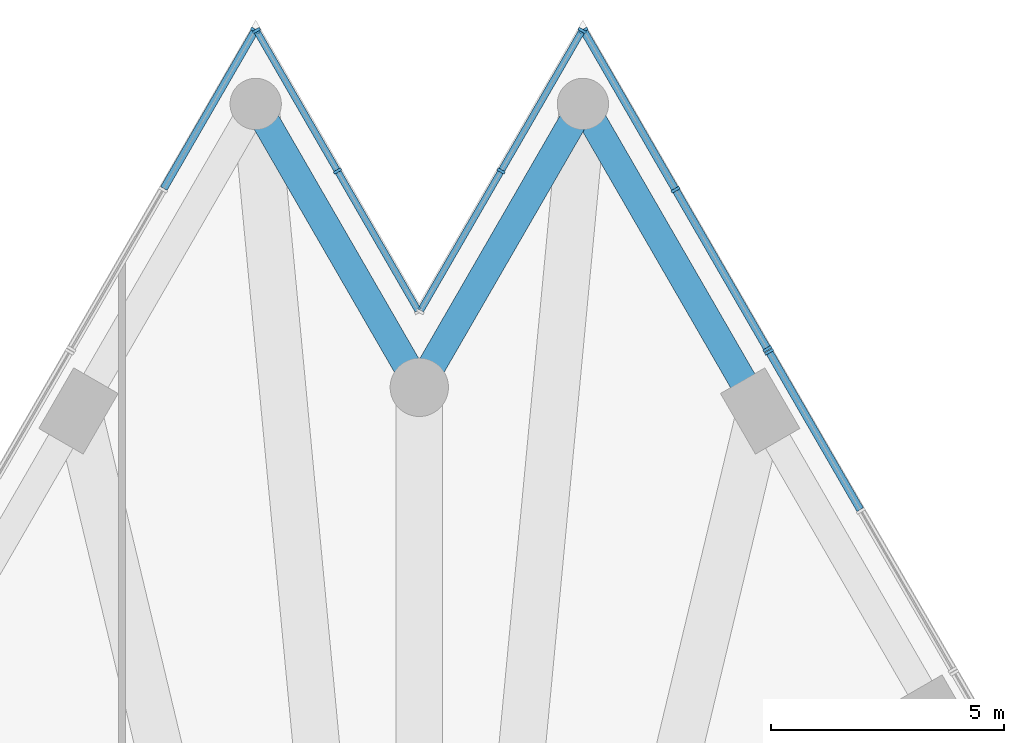
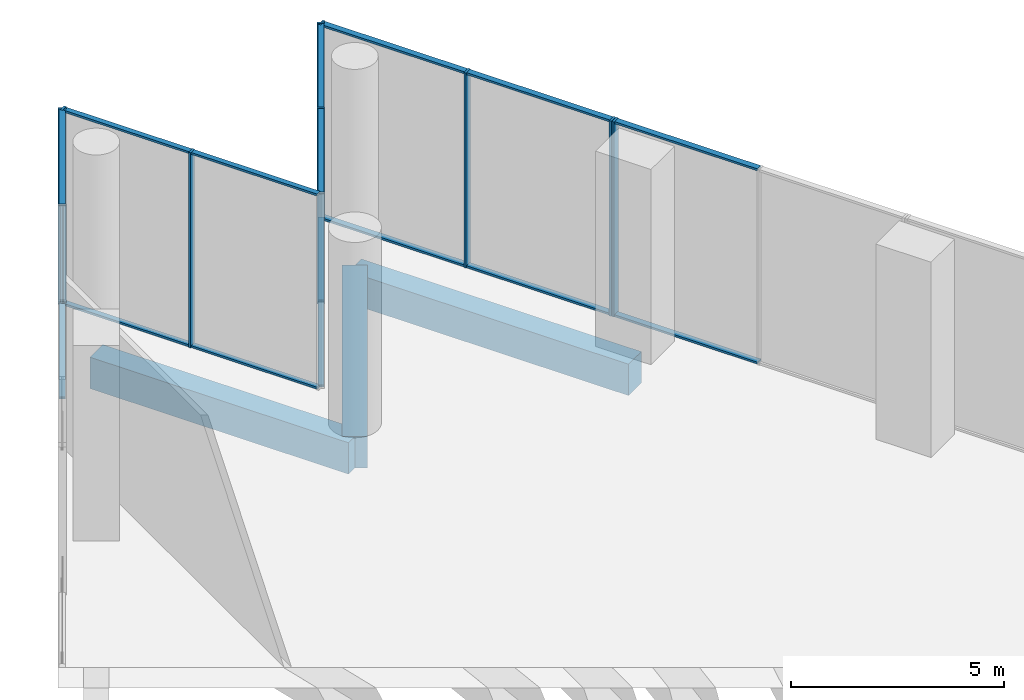
# One storey, part 18 of 36: 25 members, 3 beams, 5 elements without a shape of their own.
"""IFC4 building model written with IfcOpenShell, lengths in metres."""

from ifc_helpers import new_model, si_unit, direction, frame, origin, origin_2d, place, context, subcontext, project, spatial, rectangle, extrude, material, layer, layer_set, material_profile, profile_set, type_object, element, aggregate, save


model = new_model("IFC4")

# Units and contexts
model_context = context("Model", 3, precision=1e-05, world=origin(), true_north=direction((0.0, 1.0)))
body_context = subcontext(model_context, "Body", "Model", "MODEL_VIEW")
ifc_project = project(units=[si_unit("LENGTHUNIT", "METRE"), si_unit("AREAUNIT", "SQUARE_METRE"), si_unit("VOLUMEUNIT", "CUBIC_METRE"), si_unit("PLANEANGLEUNIT", "RADIAN"), si_unit("MASSUNIT", "GRAM", prefix="KILO")], contexts=[model_context])

# Site, building, storey
site_placement = place(None, origin())
site = spatial("IfcSite", under=ifc_project, at=site_placement, CompositionType="ELEMENT")
building_placement = place(site_placement, origin())
building = spatial("IfcBuilding", under=site, at=building_placement, Name="Triada Interchange Tower", CompositionType="ELEMENT")
storey_placement = place(building_placement, frame((0.0, 0.0, 8.5)))
storey = spatial("IfcBuildingStorey", under=building, at=storey_placement, Name="L01", CompositionType="ELEMENT", Elevation=8.5)

# Curtain wall, member
ifc_material_1 = material(Name="Aluminium framed glazing", Category="aluminium")
ifc_layer_1 = layer(ifc_material_1, 0.199951171875)
ifc_layer_set_1 = layer_set([ifc_layer_1], Name="Curtain wall Concourse glazed screen")
curtain_wall_type_1 = type_object("IfcCurtainWallType", Name="Curtain wall Concourse glazed screen", PredefinedType="NOTDEFINED", material=ifc_layer_set_1)
curtain_wall_1_placement = place(storey_placement, origin())
curtain_wall_1 = element("IfcCurtainWall", 1, at=curtain_wall_1_placement, inside=storey, type_object=curtain_wall_type_1, Name="Concourse glazed screen CW023 L01", PredefinedType="NOTDEFINED")
ifc_material_2 = material(Name="Aluminium", Category="aluminium")
ifc_material_profile_1 = material_profile(ifc_material_2, rectangle(XDim=0.199951171875, YDim=0.06005859375, at=origin_2d()), Name="Aluminium mullion")
ifc_profile_set_1 = profile_set([ifc_material_profile_1], Name="Aluminium")
member_type_1 = type_object("IfcMemberType", Name="Mullion Concourse glazed screen 200x60", PredefinedType="MULLION", material=ifc_profile_set_1)
member_1_placement = place(storey_placement, frame((7.498046875, 31.81298828125, 0.0), z_axis=(0.0, 0.0, 1.0), x_axis=(-0.866055473648, -0.499947913852, 0.0)))
member_1 = element("IfcMember", 2, at=member_1_placement, type_object=member_type_1, Name="CW023 mullion 3", PredefinedType="MULLION", context=body_context, shape_type="SweptSolid", body=[
    extrude(rectangle(XDim=0.199951171875, YDim=0.06005859375, at=origin_2d()), origin(), (0.0, 0.0, 1.0), 5.60009765625),
])

# Curtain wall, members
curtain_wall_2_placement = place(storey_placement, origin())
curtain_wall_2 = element("IfcCurtainWall", 3, at=curtain_wall_2_placement, inside=storey, type_object=curtain_wall_type_1, Name="Concourse glazed screen CW024 L01", PredefinedType="NOTDEFINED")
member_2_placement = place(storey_placement, frame((7.4619140625, 31.8740234375, 0.0), z_axis=(0.0, 0.0, 1.0), x_axis=(-0.86604927658, -0.499958648825, 0.0)))
member_2 = element("IfcMember", 4, at=member_2_placement, type_object=member_type_1, Name="CW024 mullion 1", PredefinedType="MULLION", context=body_context, shape_type="SweptSolid", body=[
    extrude(rectangle(XDim=0.199951171875, YDim=0.06005859375, at=origin_2d()), origin(), (0.0, 0.0, 1.0), 5.60009765625),
])
member_3_placement = place(storey_placement, frame((5.491943359375, 35.28662109375, 0.0), z_axis=(0.0, 0.0, 1.0), x_axis=(-0.86604927658, -0.499958648825, 0.0)))
member_3 = element("IfcMember", 5, at=member_3_placement, type_object=member_type_1, Name="CW024 mullion 2", PredefinedType="MULLION", context=body_context, shape_type="SweptSolid", body=[
    extrude(rectangle(XDim=0.199951171875, YDim=0.06005859375, at=origin_2d()), origin(), (0.0, 0.0, 1.0), 5.60009765625),
])
member_4_placement = place(storey_placement, frame((3.52197265625, 38.698974609375, 0.0), z_axis=(0.0, 0.0, 1.0), x_axis=(-0.86604927658, -0.499958648825, 0.0)))
member_4 = element("IfcMember", 6, at=member_4_placement, type_object=member_type_1, Name="CW024 mullion 3", PredefinedType="MULLION", context=body_context, shape_type="SweptSolid", body=[
    extrude(rectangle(XDim=0.199951171875, YDim=0.06005859375, at=origin_2d()), origin(), (0.0, 0.0, 1.0), 5.60009765625),
])

# Curtain wall, member
curtain_wall_3_placement = place(storey_placement, origin())
curtain_wall_3 = element("IfcCurtainWall", 7, at=curtain_wall_3_placement, inside=storey, type_object=curtain_wall_type_1, Name="Concourse glazed screen CW027 L01", PredefinedType="NOTDEFINED")
member_5_placement = place(storey_placement, frame((-3.52197265625, 38.698974609375, 0.0), z_axis=(0.0, 0.0, 1.0), x_axis=(0.86604927658, -0.499958648825, 0.0)))
member_5 = element("IfcMember", 8, at=member_5_placement, type_object=member_type_1, Name="CW027 mullion 1", PredefinedType="MULLION", context=body_context, shape_type="SweptSolid", body=[
    extrude(rectangle(XDim=0.199951171875, YDim=0.06005859375, at=origin_2d()), origin(), (0.0, 0.0, 1.0), 5.60009765625),
])

# Curtain wall, members
ifc_layer_2 = layer(ifc_material_1, 0.199951171875)
ifc_layer_set_2 = layer_set([ifc_layer_2], Name="Curtain wall Tower lobby glazing")
curtain_wall_type_2 = type_object("IfcCurtainWallType", Name="Curtain wall Tower lobby glazing", PredefinedType="NOTDEFINED", material=ifc_layer_set_2)
curtain_wall_4_placement = place(storey_placement, origin())
curtain_wall_4 = element("IfcCurtainWall", 9, at=curtain_wall_4_placement, inside=storey, type_object=curtain_wall_type_2, Name="Tower lobby glazing CW025 L01", PredefinedType="NOTDEFINED")
ifc_material_profile_2 = material_profile(ifc_material_2, rectangle(XDim=0.179931640625, YDim=0.06005859375, at=origin_2d()), Name="Aluminium mullion")
ifc_profile_set_2 = profile_set([ifc_material_profile_2], Name="Aluminium")
member_type_2 = type_object("IfcMemberType", Name="Mullion Tower lobby glazing 180x60", PredefinedType="MULLION", material=ifc_profile_set_2)
member_6_placement = place(storey_placement, frame((3.491943359375, 38.698974609375, 0.0), z_axis=(0.0, 0.0, 1.0), x_axis=(0.866050272896, -0.499956922962, 0.0)))
member_6 = element("IfcMember", 10, at=member_6_placement, type_object=member_type_2, Name="CW025 mullion 1", PredefinedType="MULLION", context=body_context, shape_type="SweptSolid", body=[
    extrude(rectangle(XDim=0.179931640625, YDim=0.06005859375, at=origin_2d()), origin(), (0.0, 0.0, 1.0), 5.60009765625),
])
member_7_placement = place(storey_placement, frame((1.75341796875, 35.6875, 0.0), z_axis=(0.0, 0.0, 1.0), x_axis=(0.866050272896, -0.499956922962, 0.0)))
member_7 = element("IfcMember", 11, at=member_7_placement, type_object=member_type_2, Name="CW025 mullion 2", PredefinedType="MULLION", context=body_context, shape_type="SweptSolid", body=[
    extrude(rectangle(XDim=0.179931640625, YDim=0.06005859375, at=origin_2d()), origin(), (0.0, 0.0, 1.0), 5.60009765625),
])

curtain_wall_5_placement = place(storey_placement, origin())
curtain_wall_5 = element("IfcCurtainWall", 12, at=curtain_wall_5_placement, inside=storey, type_object=curtain_wall_type_2, Name="Tower lobby glazing CW026 L01", PredefinedType="NOTDEFINED")
member_8_placement = place(storey_placement, frame((-1.75341796875, 35.6875, 0.0), z_axis=(0.0, 0.0, 1.0), x_axis=(-0.866050272896, -0.499956922962, 0.0)))
member_8 = element("IfcMember", 13, at=member_8_placement, type_object=member_type_2, Name="CW026 mullion 2", PredefinedType="MULLION", context=body_context, shape_type="SweptSolid", body=[
    extrude(rectangle(XDim=0.179931640625, YDim=0.06005859375, at=origin_2d()), origin(), (0.0, 0.0, 1.0), 5.60009765625),
])
member_9_placement = place(storey_placement, frame((-3.491943359375, 38.698974609375, 0.0), z_axis=(0.0, 0.0, 1.0), x_axis=(-0.866050272896, -0.499956922962, 0.0)))
member_9 = element("IfcMember", 14, at=member_9_placement, type_object=member_type_2, Name="CW026 mullion 3", PredefinedType="MULLION", context=body_context, shape_type="SweptSolid", body=[
    extrude(rectangle(XDim=0.179931640625, YDim=0.06005859375, at=origin_2d()), origin(), (0.0, 0.0, 1.0), 5.60009765625),
])

# Beams
ifc_material_3 = material(Name="Concrete C50/60", Category="concrete")
ifc_material_profile_3 = material_profile(ifc_material_3, rectangle(XDim=0.60009765625, YDim=0.89990234375, at=origin_2d()), Name="RC 600x900")
ifc_profile_set_3 = profile_set([ifc_material_profile_3], Name="Concrete C50/60")
beam_type = type_object("IfcBeamType", Name="Spandrel beam P RC 600x900", PredefinedType="BEAM", material=ifc_profile_set_3)
beam_placement = place(storey_placement, frame((7.306884765625, 30.5439453125, -0.85009765625), z_axis=(-0.500022797313, 0.86601224135, 0.0), x_axis=(-0.86601224135, -0.500022797313, 0.0)))
element("IfcBeam", 15, at=beam_placement, inside=storey, type_object=beam_type, Name="Spandrel beam EP28 L01", PredefinedType="BEAM", context=body_context, shape_type="SweptSolid", body=[
    extrude(rectangle(XDim=0.60009765625, YDim=0.89990234375, at=origin_2d()), origin(), (0.0, 0.0, 1.0), 7.599365234375),
])
for number, where, z_axis, x_axis, name in (
    (16, (3.507080078125, 37.125, -0.85009765625), (-0.49996849935, -0.866043589929, 0.0), (0.866043589929, -0.49996849935, 0.0), "Spandrel beam EP29 L01"),
    (17, (0.0, 31.050048828125, -0.85009765625), (-0.49996849935, 0.866043589929, 0.0), (-0.866043589929, -0.49996849935, 0.0), "Spandrel beam EP30 L01"),
):
    element("IfcBeam", number, at=place(storey_placement, frame(where, z_axis=z_axis, x_axis=x_axis)), inside=storey, type_object=beam_type, Name=name, PredefinedType="BEAM", context=body_context, shape_type="SweptSolid", body=[
        extrude(rectangle(XDim=0.60009765625, YDim=0.89990234375, at=origin_2d()), origin(), (0.0, 0.0, 1.0), 7.0146484375),
    ])

# Member
ifc_material_profile_4 = material_profile(ifc_material_2, rectangle(XDim=0.159912109375, YDim=0.06005859375, at=origin_2d()), Name="Aluminium transom")
ifc_profile_set_4 = profile_set([ifc_material_profile_4], Name="Aluminium")
member_type_3 = type_object("IfcMemberType", Name="Transom Concourse glazed screen 160x60", PredefinedType="USERDEFINED", material=ifc_profile_set_4)
member_10_placement = place(storey_placement, frame((9.451416015625, 28.428955078125, 0.030029296875), z_axis=(-0.499931386026, 0.866065014457, 0.0), x_axis=(-0.866065014457, -0.499931386026, 0.0)))
member_10 = element("IfcMember", 18, at=member_10_placement, type_object=member_type_3, Name="CW023 transom 2.1", ObjectType="TRANSOM", PredefinedType="USERDEFINED", context=body_context, shape_type="SweptSolid", body=[
    extrude(rectangle(XDim=0.159912109375, YDim=0.06005859375, at=origin_2d()), origin(), (0.0, 0.0, 1.0), 3.87744140625),
])

member_11_placement = place(storey_placement, frame((9.451416015625, 28.428955078125, 5.570068359375), z_axis=(-0.499931386026, 0.866065014457, 0.0), x_axis=(-0.866065014457, -0.499931386026, 0.0)))
member_11 = element("IfcMember", 19, at=member_11_placement, type_object=member_type_3, Name="CW023 transom 2.2", ObjectType="TRANSOM", PredefinedType="USERDEFINED", context=body_context, shape_type="SweptSolid", body=[
    extrude(rectangle(XDim=0.159912109375, YDim=0.06005859375, at=origin_2d()), origin(), (0.0, 0.0, 1.0), 3.87744140625),
])

aggregate(curtain_wall_1, [member_1, member_10, member_11])

member_12_placement = place(storey_placement, frame((7.447021484375, 31.89990234375, 0.030029296875), z_axis=(-0.499942124791, 0.866058815473, 0.0), x_axis=(-0.866058815473, -0.499942124791, 0.0)))
member_12 = element("IfcMember", 20, at=member_12_placement, type_object=member_type_3, Name="CW024 transom 1.1", ObjectType="TRANSOM", PredefinedType="USERDEFINED", context=body_context, shape_type="SweptSolid", body=[
    extrude(rectangle(XDim=0.159912109375, YDim=0.06005859375, at=origin_2d()), origin(), (0.0, 0.0, 1.0), 3.88037109375),
])

member_13_placement = place(storey_placement, frame((7.447021484375, 31.89990234375, 5.570068359375), z_axis=(-0.499942124791, 0.866058815473, 0.0), x_axis=(-0.866058815473, -0.499942124791, 0.0)))
member_13 = element("IfcMember", 21, at=member_13_placement, type_object=member_type_3, Name="CW024 transom 1.2", ObjectType="TRANSOM", PredefinedType="USERDEFINED", context=body_context, shape_type="SweptSolid", body=[
    extrude(rectangle(XDim=0.159912109375, YDim=0.06005859375, at=origin_2d()), origin(), (0.0, 0.0, 1.0), 3.88037109375),
])

member_14_placement = place(storey_placement, frame((5.47705078125, 35.3125, 0.030029296875), z_axis=(-0.499942124791, 0.866058815473, 0.0), x_axis=(-0.866058815473, -0.499942124791, 0.0)))
member_14 = element("IfcMember", 22, at=member_14_placement, type_object=member_type_3, Name="CW024 transom 2.1", ObjectType="TRANSOM", PredefinedType="USERDEFINED", context=body_context, shape_type="SweptSolid", body=[
    extrude(rectangle(XDim=0.159912109375, YDim=0.06005859375, at=origin_2d()), origin(), (0.0, 0.0, 1.0), 3.88037109375),
])

member_15_placement = place(storey_placement, frame((5.47705078125, 35.3125, 5.570068359375), z_axis=(-0.499942124791, 0.866058815473, 0.0), x_axis=(-0.866058815473, -0.499942124791, 0.0)))
member_15 = element("IfcMember", 23, at=member_15_placement, type_object=member_type_3, Name="CW024 transom 2.2", ObjectType="TRANSOM", PredefinedType="USERDEFINED", context=body_context, shape_type="SweptSolid", body=[
    extrude(rectangle(XDim=0.159912109375, YDim=0.06005859375, at=origin_2d()), origin(), (0.0, 0.0, 1.0), 3.88037109375),
])

aggregate(curtain_wall_2, [member_2, member_3, member_4, member_12, member_13, member_14, member_15])

member_16_placement = place(storey_placement, frame((-3.537109375, 38.673095703125, 0.030029296875), z_axis=(-0.499942124791, -0.866058815473, 0.0), x_axis=(0.866058815473, -0.499942124791, 0.0)))
member_16 = element("IfcMember", 24, at=member_16_placement, type_object=member_type_3, Name="CW027 transom 1.1", ObjectType="TRANSOM", PredefinedType="USERDEFINED", context=body_context, shape_type="SweptSolid", body=[
    extrude(rectangle(XDim=0.159912109375, YDim=0.06005859375, at=origin_2d()), origin(), (0.0, 0.0, 1.0), 3.88037109375),
])

member_17_placement = place(storey_placement, frame((-3.537109375, 38.673095703125, 5.570068359375), z_axis=(-0.499942124791, -0.866058815473, 0.0), x_axis=(0.866058815473, -0.499942124791, 0.0)))
member_17 = element("IfcMember", 25, at=member_17_placement, type_object=member_type_3, Name="CW027 transom 1.2", ObjectType="TRANSOM", PredefinedType="USERDEFINED", context=body_context, shape_type="SweptSolid", body=[
    extrude(rectangle(XDim=0.159912109375, YDim=0.06005859375, at=origin_2d()), origin(), (0.0, 0.0, 1.0), 3.88037109375),
])

aggregate(curtain_wall_3, [member_5, member_16, member_17])

ifc_material_profile_5 = material_profile(ifc_material_2, rectangle(XDim=0.139892578125, YDim=0.06005859375, at=origin_2d()), Name="Aluminium transom")
ifc_profile_set_5 = profile_set([ifc_material_profile_5], Name="Aluminium")
member_type_4 = type_object("IfcMemberType", Name="Transom Tower lobby glazing 140x60", PredefinedType="USERDEFINED", material=ifc_profile_set_5)
member_18_placement = place(storey_placement, frame((3.47705078125, 38.673095703125, 0.030029296875), z_axis=(-0.499934775237, -0.866063058044, 0.0), x_axis=(0.866063058044, -0.499934775237, 0.0)))
member_18 = element("IfcMember", 26, at=member_18_placement, type_object=member_type_4, Name="CW025 transom 1.1", ObjectType="TRANSOM", PredefinedType="USERDEFINED", context=body_context, shape_type="SweptSolid", body=[
    extrude(rectangle(XDim=0.139892578125, YDim=0.06005859375, at=origin_2d()), origin(), (0.0, 0.0, 1.0), 3.41748046875),
])

member_19_placement = place(storey_placement, frame((3.47705078125, 38.673095703125, 5.570068359375), z_axis=(-0.499934775237, -0.866063058044, 0.0), x_axis=(0.866063058044, -0.499934775237, 0.0)))
member_19 = element("IfcMember", 27, at=member_19_placement, type_object=member_type_4, Name="CW025 transom 1.2", ObjectType="TRANSOM", PredefinedType="USERDEFINED", context=body_context, shape_type="SweptSolid", body=[
    extrude(rectangle(XDim=0.139892578125, YDim=0.06005859375, at=origin_2d()), origin(), (0.0, 0.0, 1.0), 3.41748046875),
])

member_20_placement = place(storey_placement, frame((1.738525390625, 35.66162109375, 0.030029296875), z_axis=(-0.499934775237, -0.866063058044, 0.0), x_axis=(0.866063058044, -0.499934775237, 0.0)))
member_20 = element("IfcMember", 28, at=member_20_placement, type_object=member_type_4, Name="CW025 transom 2.1", ObjectType="TRANSOM", PredefinedType="USERDEFINED", context=body_context, shape_type="SweptSolid", body=[
    extrude(rectangle(XDim=0.139892578125, YDim=0.06005859375, at=origin_2d()), origin(), (0.0, 0.0, 1.0), 3.41748046875),
])

member_21_placement = place(storey_placement, frame((1.738525390625, 35.66162109375, 5.570068359375), z_axis=(-0.499934775237, -0.866063058044, 0.0), x_axis=(0.866063058044, -0.499934775237, 0.0)))
member_21 = element("IfcMember", 29, at=member_21_placement, type_object=member_type_4, Name="CW025 transom 2.2", ObjectType="TRANSOM", PredefinedType="USERDEFINED", context=body_context, shape_type="SweptSolid", body=[
    extrude(rectangle(XDim=0.139892578125, YDim=0.06005859375, at=origin_2d()), origin(), (0.0, 0.0, 1.0), 3.41748046875),
])

aggregate(curtain_wall_4, [member_6, member_7, member_18, member_19, member_20, member_21])

member_22_placement = place(storey_placement, frame((-0.030029296875, 32.701904296875, 0.030029296875), z_axis=(-0.499934775237, 0.866063058044, 0.0), x_axis=(-0.866063058044, -0.499934775237, 0.0)))
member_22 = element("IfcMember", 30, at=member_22_placement, type_object=member_type_4, Name="CW026 transom 1.1", ObjectType="TRANSOM", PredefinedType="USERDEFINED", context=body_context, shape_type="SweptSolid", body=[
    extrude(rectangle(XDim=0.139892578125, YDim=0.06005859375, at=origin_2d()), origin(), (0.0, 0.0, 1.0), 3.41748046875),
])

member_23_placement = place(storey_placement, frame((-0.030029296875, 32.701904296875, 5.570068359375), z_axis=(-0.499934775237, 0.866063058044, 0.0), x_axis=(-0.866063058044, -0.499934775237, 0.0)))
member_23 = element("IfcMember", 31, at=member_23_placement, type_object=member_type_4, Name="CW026 transom 1.2", ObjectType="TRANSOM", PredefinedType="USERDEFINED", context=body_context, shape_type="SweptSolid", body=[
    extrude(rectangle(XDim=0.139892578125, YDim=0.06005859375, at=origin_2d()), origin(), (0.0, 0.0, 1.0), 3.41748046875),
])

member_24_placement = place(storey_placement, frame((-1.7685546875, 35.71337890625, 0.030029296875), z_axis=(-0.499934775237, 0.866063058044, 0.0), x_axis=(-0.866063058044, -0.499934775237, 0.0)))
member_24 = element("IfcMember", 32, at=member_24_placement, type_object=member_type_4, Name="CW026 transom 2.1", ObjectType="TRANSOM", PredefinedType="USERDEFINED", context=body_context, shape_type="SweptSolid", body=[
    extrude(rectangle(XDim=0.139892578125, YDim=0.06005859375, at=origin_2d()), origin(), (0.0, 0.0, 1.0), 3.41748046875),
])

member_25_placement = place(storey_placement, frame((-1.7685546875, 35.71337890625, 5.570068359375), z_axis=(-0.499934775237, 0.866063058044, 0.0), x_axis=(-0.866063058044, -0.499934775237, 0.0)))
member_25 = element("IfcMember", 33, at=member_25_placement, type_object=member_type_4, Name="CW026 transom 2.2", ObjectType="TRANSOM", PredefinedType="USERDEFINED", context=body_context, shape_type="SweptSolid", body=[
    extrude(rectangle(XDim=0.139892578125, YDim=0.06005859375, at=origin_2d()), origin(), (0.0, 0.0, 1.0), 3.41748046875),
])

aggregate(curtain_wall_5, [member_8, member_9, member_22, member_23, member_24, member_25])

save(model, "model.ifc")
